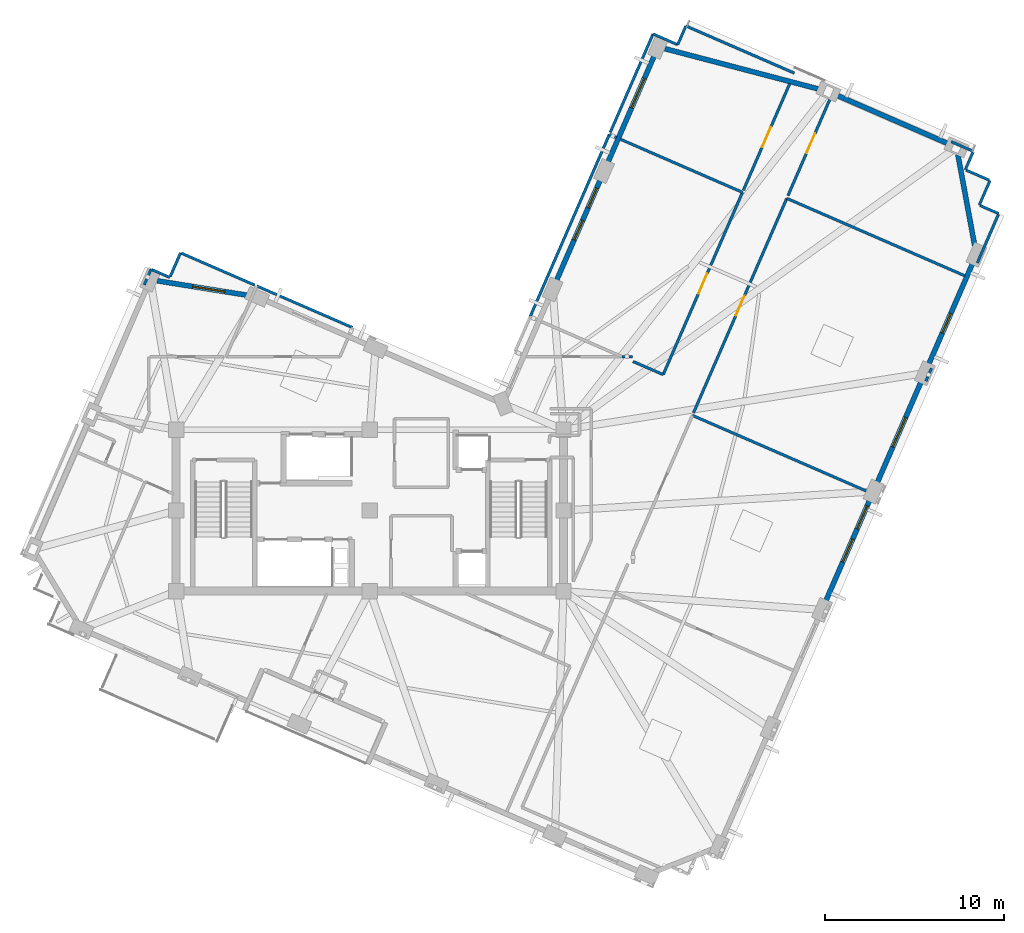
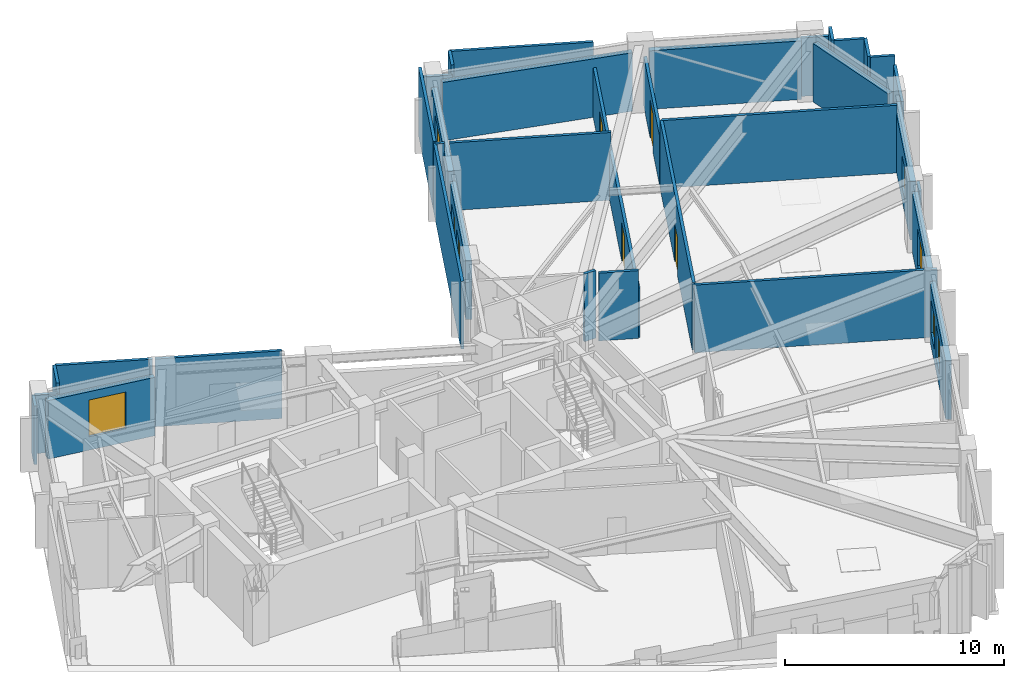
# One storey, part 7 of 12: 36 walls, 8 windows, 4 doors, 12 openings.
"""IFC4 building model written with IfcOpenShell, lengths in metres."""

from ifc_helpers import new_model, si_unit, direction, frame, frame_2d, origin, place, context, subcontext, project, spatial, rectangle, extrude, material, layer, layer_set, type_object, element, fill, save


model = new_model("IFC4")

# Units and contexts
model_context = context("Model", 3, precision=1e-05, world=origin(), true_north=direction((0.0, 1.0)))
body_context = subcontext(model_context, "Body", "Model", "MODEL_VIEW")
ifc_project = project(units=[si_unit("LENGTHUNIT", "METRE"), si_unit("AREAUNIT", "SQUARE_METRE"), si_unit("VOLUMEUNIT", "CUBIC_METRE"), si_unit("PLANEANGLEUNIT", "RADIAN"), si_unit("MASSUNIT", "GRAM", prefix="KILO")], contexts=[model_context])

# Site, building, storey
site_placement = place(None, origin())
site = spatial("IfcSite", under=ifc_project, at=site_placement, CompositionType="ELEMENT")
building_placement = place(site_placement, origin())
building = spatial("IfcBuilding", under=site, at=building_placement, Name="Gaonmaruhae Medical Tower", CompositionType="ELEMENT")
storey_placement = place(building_placement, frame((0.0, 0.0, 308.60009765625)))
storey = spatial("IfcBuildingStorey", under=building, at=storey_placement, Name="L74", CompositionType="ELEMENT", Elevation=308.60009765625)

# Wall, openings, windows
ifc_material_1 = material(Name="Precast concrete C45/55", Category="concrete")
ifc_layer_1 = layer(ifc_material_1, 0.280029296875)
ifc_layer_set_1 = layer_set([ifc_layer_1], Name="Precast concrete C45/55")
wall_type_1 = type_object("IfcWallType", Name="EW-280 Upper Precast Masonry-Frame Facade Wall", PredefinedType="SOLIDWALL", material=ifc_layer_set_1)
wall_1_placement = place(storey_placement, frame((52.7294921875, 12.99560546875, 0.0), z_axis=(0.0, 0.0, 1.0), x_axis=(-0.398744230651, -0.917062178112, 0.0)))
wall_1 = element("IfcWall", 1, at=wall_1_placement, inside=storey, type_object=wall_type_1, Name="L74 Precast Masonry-Frame Wall S03-S04", PredefinedType="SOLIDWALL", context=body_context, shape_type="SweptSolid", body=[
    extrude(rectangle(XDim=6.405029296875, YDim=0.280029296875, at=frame_2d((3.20263671875, 0.0))), origin(), (0.0, 0.0, 1.0), 3.264892578125),
])
opening_1_placement = place(wall_1_placement, frame((2.50244140625, 0.0, 0.75)))
opening_1 = element("IfcOpeningElement", 2, at=opening_1_placement, cuts=wall_1, Name="Opening WN-03", PredefinedType="OPENING", context=body_context, shape_type="SweptSolid", body=[
    extrude(rectangle(XDim=1.39990234375, YDim=1.85009765625, at=frame_2d((0.699951171875, 0.925048828125))), frame((0.0, 0.14990234375, 0.0), z_axis=(0.0, -1.0, 0.0), x_axis=(1.0, 0.0, 0.0)), (0.0, 0.0, 1.0), 0.300048828125),
])
opening_2_placement = place(wall_1_placement, frame((0.486328125, 0.0, 0.75)))
opening_2 = element("IfcOpeningElement", 3, at=opening_2_placement, cuts=wall_1, Name="Opening WN-03", PredefinedType="OPENING", context=body_context, shape_type="SweptSolid", body=[
    extrude(rectangle(XDim=1.39990234375, YDim=1.85009765625, at=frame_2d((0.699951171875, 0.925048828125))), frame((0.0, 0.14990234375, 0.0), z_axis=(0.0, -1.0, 0.0), x_axis=(1.0, 0.0, 0.0)), (0.0, 0.0, 1.0), 0.300048828125),
])
ifc_material_2 = material(Name="Anodised aluminium and Low-E double glazing", Category="aluminium")
window_type_1 = type_object("IfcWindowType", Name="WN-03 Isolation Ward Punched Window 1400x1850", PartitioningType="SINGLE_PANEL", PredefinedType="WINDOW", material=ifc_material_2)
window_1_placement = place(opening_1_placement, origin())
window_1 = element("IfcWindow", 4, at=window_1_placement, inside=storey, type_object=window_type_1, Name="L74 Modular Facade Window S03", OverallHeight=1.85009765625, OverallWidth=1.39990234375, PartitioningType="SINGLE_PANEL", PredefinedType="WINDOW", context=body_context, shape_type="SweptSolid", body=[
    extrude(rectangle(XDim=1.39990234375, YDim=1.85009765625, at=frame_2d((0.699951171875, 0.925048828125))), frame((0.0, 0.030029296875, 0.0), z_axis=(0.0, -1.0, 0.0), x_axis=(1.0, 0.0, 0.0)), (0.0, 0.0, 1.0), 0.06005859375),
])
fill(opening_1, window_1)
window_2_placement = place(opening_2_placement, origin())
window_2 = element("IfcWindow", 5, at=window_2_placement, inside=storey, type_object=window_type_1, Name="L74 Modular Facade Window S03B", OverallHeight=1.85009765625, OverallWidth=1.39990234375, PartitioningType="SINGLE_PANEL", PredefinedType="WINDOW", context=body_context, shape_type="SweptSolid", body=[
    extrude(rectangle(XDim=1.39990234375, YDim=1.85009765625, at=frame_2d((0.699951171875, 0.925048828125))), frame((0.0, 0.030029296875, 0.0), z_axis=(0.0, -1.0, 0.0), x_axis=(1.0, 0.0, 0.0)), (0.0, 0.0, 1.0), 0.06005859375),
])
fill(opening_2, window_2)

# Wall, opening, window
wall_2_placement = place(storey_placement, frame((55.6005859375, 19.598388671875, 0.0), z_axis=(0.0, 0.0, 1.0), x_axis=(-0.398744230651, -0.917062178112, 0.0)))
wall_2 = element("IfcWall", 6, at=wall_2_placement, inside=storey, type_object=wall_type_1, Name="L74 Precast Masonry-Frame Wall S04-S05", PredefinedType="SOLIDWALL", context=body_context, shape_type="SweptSolid", body=[
    extrude(rectangle(XDim=6.405029296875, YDim=0.280029296875, at=frame_2d((3.20263671875, 0.0))), origin(), (0.0, 0.0, 1.0), 3.264892578125),
])
opening_3_placement = place(wall_2_placement, frame((2.302490234375, 0.0, 0.75)))
opening_3 = element("IfcOpeningElement", 7, at=opening_3_placement, cuts=wall_2, Name="Opening WN-04", PredefinedType="OPENING", context=body_context, shape_type="SweptSolid", body=[
    extrude(rectangle(XDim=1.800048828125, YDim=2.050048828125, at=frame_2d((0.89990234375, 1.02490234375))), frame((0.0, 0.14990234375, 0.0), z_axis=(0.0, -1.0, 0.0), x_axis=(1.0, 0.0, 0.0)), (0.0, 0.0, 1.0), 0.300048828125),
])
window_type_2 = type_object("IfcWindowType", Name="WN-04 Clinic & Consult Punched Window 1800x2050", PartitioningType="SINGLE_PANEL", PredefinedType="WINDOW", material=ifc_material_2)
window_3_placement = place(opening_3_placement, origin())
window_3 = element("IfcWindow", 8, at=window_3_placement, inside=storey, type_object=window_type_2, Name="L74 Modular Facade Window S04", OverallHeight=2.050048828125, OverallWidth=1.800048828125, PartitioningType="SINGLE_PANEL", PredefinedType="WINDOW", context=body_context, shape_type="SweptSolid", body=[
    extrude(rectangle(XDim=1.800048828125, YDim=2.050048828125, at=frame_2d((0.89990234375, 1.02490234375))), frame((0.0, 0.030029296875, 0.0), z_axis=(0.0, -1.0, 0.0), x_axis=(1.0, 0.0, 0.0)), (0.0, 0.0, 1.0), 0.06005859375),
])
fill(opening_3, window_3)

wall_3_placement = place(storey_placement, frame((58.4716796875, 26.201171875, 0.0), z_axis=(0.0, 0.0, 1.0), x_axis=(-0.398776286617, -0.917048239316, 0.0)))
wall_3 = element("IfcWall", 9, at=wall_3_placement, inside=storey, type_object=wall_type_1, Name="L74 Precast Masonry-Frame Wall S05-S06", PredefinedType="SOLIDWALL", context=body_context, shape_type="SweptSolid", body=[
    extrude(rectangle(XDim=6.405029296875, YDim=0.280029296875, at=frame_2d((3.20263671875, 0.0))), origin(), (0.0, 0.0, 1.0), 3.264892578125),
])
opening_4_placement = place(wall_3_placement, frame((3.17626953125, 0.0, 0.75)))
opening_4 = element("IfcOpeningElement", 10, at=opening_4_placement, cuts=wall_3, Name="Opening WN-05", PredefinedType="OPENING", context=body_context, shape_type="SweptSolid", body=[
    extrude(rectangle(XDim=1.199951171875, YDim=1.75, at=frame_2d((0.60009765625, 0.875))), frame((0.0, 0.14990234375, 0.0), z_axis=(0.0, -1.0, 0.0), x_axis=(1.0, 0.0, 0.0)), (0.0, 0.0, 1.0), 0.300048828125),
])
window_type_3 = type_object("IfcWindowType", Name="WN-05 Support & Staff Punched Window 1200x1750", PartitioningType="SINGLE_PANEL", PredefinedType="WINDOW", material=ifc_material_2)
window_4_placement = place(opening_4_placement, origin())
window_4 = element("IfcWindow", 11, at=window_4_placement, inside=storey, type_object=window_type_3, Name="L74 Modular Facade Window S05", OverallHeight=1.75, OverallWidth=1.199951171875, PartitioningType="SINGLE_PANEL", PredefinedType="WINDOW", context=body_context, shape_type="SweptSolid", body=[
    extrude(rectangle(XDim=1.199951171875, YDim=1.75, at=frame_2d((0.60009765625, 0.875))), frame((0.0, 0.030029296875, 0.0), z_axis=(0.0, -1.0, 0.0), x_axis=(1.0, 0.0, 0.0)), (0.0, 0.0, 1.0), 0.06005859375),
])
fill(opening_4, window_4)

# Walls
wall_4_placement = place(storey_placement, frame((57.597900390625, 32.16162109375, 0.0), z_axis=(0.0, 0.0, 1.0), x_axis=(0.181421889976, -0.983405357845, 0.0)))
element("IfcWall", 12, at=wall_4_placement, inside=storey, type_object=wall_type_1, Name="L74 Precast Masonry-Frame Wall S06-E01", PredefinedType="SOLIDWALL", context=body_context, shape_type="SweptSolid", body=[
    extrude(rectangle(XDim=5.292724609375, YDim=0.280029296875, at=frame_2d((2.646484375, 0.0))), origin(), (0.0, 0.0, 1.0), 3.264892578125),
])
wall_5_placement = place(storey_placement, frame((50.7373046875, 35.50439453125, 0.0), z_axis=(0.0, 0.0, 1.0), x_axis=(0.917057311373, -0.398755423359, 0.0)))
element("IfcWall", 13, at=wall_5_placement, inside=storey, type_object=wall_type_1, Name="L74 Precast Masonry-Frame Wall E01-E02", PredefinedType="SOLIDWALL", context=body_context, shape_type="SweptSolid", body=[
    extrude(rectangle(XDim=7.0048828125, YDim=0.280029296875, at=frame_2d((3.50244140625, 0.0))), origin(), (0.0, 0.0, 1.0), 3.264892578125),
])
wall_6_placement = place(storey_placement, frame((41.263671875, 38.05419921875, 0.0), z_axis=(0.0, 0.0, 1.0), x_axis=(0.967228971308, -0.253905724755, 0.0)))
element("IfcWall", 14, at=wall_6_placement, inside=storey, type_object=wall_type_1, Name="L74 Precast Masonry-Frame Wall E02-E03", PredefinedType="SOLIDWALL", context=body_context, shape_type="SweptSolid", body=[
    extrude(rectangle(XDim=9.020263671875, YDim=0.280029296875, at=frame_2d((4.51025390625, 0.0))), origin(), (0.0, 0.0, 1.0), 3.264892578125),
])

# Wall, opening, window
wall_7_placement = place(storey_placement, frame((38.027099609375, 31.595947265625, 0.0), z_axis=(0.0, 0.0, 1.0), x_axis=(0.398764437463, 0.917053391802, 0.0)))
wall_7 = element("IfcWall", 15, at=wall_7_placement, inside=storey, type_object=wall_type_1, Name="L74 Precast Masonry-Frame Wall E03-EN01", PredefinedType="SOLIDWALL", context=body_context, shape_type="SweptSolid", body=[
    extrude(rectangle(XDim=6.7548828125, YDim=0.280029296875, at=frame_2d((3.37744140625, 0.0))), origin(), (0.0, 0.0, 1.0), 3.264892578125),
])
opening_5_placement = place(wall_7_placement, frame((3.43798828125, 0.0, 0.75)))
opening_5 = element("IfcOpeningElement", 16, at=opening_5_placement, cuts=wall_7, Name="Opening WN-04", PredefinedType="OPENING", context=body_context, shape_type="SweptSolid", body=[
    extrude(rectangle(XDim=1.800048828125, YDim=2.050048828125, at=frame_2d((0.89990234375, 1.02490234375))), frame((0.0, 0.14990234375, 0.0), z_axis=(0.0, -1.0, 0.0), x_axis=(1.0, 0.0, 0.0)), (0.0, 0.0, 1.0), 0.300048828125),
])
window_5_placement = place(opening_5_placement, origin())
window_5 = element("IfcWindow", 17, at=window_5_placement, inside=storey, type_object=window_type_2, Name="L74 Modular Facade Window E03", OverallHeight=2.050048828125, OverallWidth=1.800048828125, PartitioningType="SINGLE_PANEL", PredefinedType="WINDOW", context=body_context, shape_type="SweptSolid", body=[
    extrude(rectangle(XDim=1.800048828125, YDim=2.050048828125, at=frame_2d((0.89990234375, 1.02490234375))), frame((0.0, 0.030029296875, 0.0), z_axis=(0.0, -1.0, 0.0), x_axis=(1.0, 0.0, 0.0)), (0.0, 0.0, 1.0), 0.06005859375),
])
fill(opening_5, window_5)

# Wall, openings, windows
wall_8_placement = place(storey_placement, frame((35.156005859375, 24.9931640625, 0.0), z_axis=(0.0, 0.0, 1.0), x_axis=(0.398758169539, 0.917056117272, 0.0)))
wall_8 = element("IfcWall", 18, at=wall_8_placement, inside=storey, type_object=wall_type_1, Name="L74 Precast Masonry-Frame Wall EN01-EN02", PredefinedType="SOLIDWALL", context=body_context, shape_type="SweptSolid", body=[
    extrude(rectangle(XDim=6.40478515625, YDim=0.280029296875, at=frame_2d((3.202392578125, 0.0))), origin(), (0.0, 0.0, 1.0), 3.264892578125),
])
opening_6_placement = place(wall_8_placement, frame((2.602294921875, 0.0, 0.75)))
opening_6 = element("IfcOpeningElement", 19, at=opening_6_placement, cuts=wall_8, Name="Opening WN-05", PredefinedType="OPENING", context=body_context, shape_type="SweptSolid", body=[
    extrude(rectangle(XDim=1.199951171875, YDim=1.75, at=frame_2d((0.60009765625, 0.875))), frame((0.0, 0.14990234375, 0.0), z_axis=(0.0, -1.0, 0.0), x_axis=(1.0, 0.0, 0.0)), (0.0, 0.0, 1.0), 0.300048828125),
])
opening_7_placement = place(wall_8_placement, frame((4.568603515625, 0.0, 0.75)))
opening_7 = element("IfcOpeningElement", 20, at=opening_7_placement, cuts=wall_8, Name="Opening WN-05", PredefinedType="OPENING", context=body_context, shape_type="SweptSolid", body=[
    extrude(rectangle(XDim=1.199951171875, YDim=1.75, at=frame_2d((0.60009765625, 0.875))), frame((0.0, 0.14990234375, 0.0), z_axis=(0.0, -1.0, 0.0), x_axis=(1.0, 0.0, 0.0)), (0.0, 0.0, 1.0), 0.300048828125),
])
window_6_placement = place(opening_6_placement, origin())
window_6 = element("IfcWindow", 21, at=window_6_placement, inside=storey, type_object=window_type_3, Name="L74 Modular Facade Window EN01", OverallHeight=1.75, OverallWidth=1.199951171875, PartitioningType="SINGLE_PANEL", PredefinedType="WINDOW", context=body_context, shape_type="SweptSolid", body=[
    extrude(rectangle(XDim=1.199951171875, YDim=1.75, at=frame_2d((0.60009765625, 0.875))), frame((0.0, 0.030029296875, 0.0), z_axis=(0.0, -1.0, 0.0), x_axis=(1.0, 0.0, 0.0)), (0.0, 0.0, 1.0), 0.06005859375),
])
fill(opening_6, window_6)
window_7_placement = place(opening_7_placement, origin())
window_7 = element("IfcWindow", 22, at=window_7_placement, inside=storey, type_object=window_type_3, Name="L74 Modular Facade Window EN01B", OverallHeight=1.75, OverallWidth=1.199951171875, PartitioningType="SINGLE_PANEL", PredefinedType="WINDOW", context=body_context, shape_type="SweptSolid", body=[
    extrude(rectangle(XDim=1.199951171875, YDim=1.75, at=frame_2d((0.60009765625, 0.875))), frame((0.0, 0.030029296875, 0.0), z_axis=(0.0, -1.0, 0.0), x_axis=(1.0, 0.0, 0.0)), (0.0, 0.0, 1.0), 0.06005859375),
])
fill(opening_7, window_7)

# Wall, opening, window
wall_9_placement = place(storey_placement, frame((12.94580078125, 25.1103515625, 0.0), z_axis=(0.0, 0.0, 1.0), x_axis=(0.987363821305, -0.158469821666, 0.0)))
wall_9 = element("IfcWall", 23, at=wall_9_placement, inside=storey, type_object=wall_type_1, Name="L74 Precast Masonry-Frame Wall NE02-N01", PredefinedType="SOLIDWALL", context=body_context, shape_type="SweptSolid", body=[
    extrude(rectangle(XDim=5.244140625, YDim=0.280029296875, at=frame_2d((2.6220703125, 0.0))), origin(), (0.0, 0.0, 1.0), 3.264892578125),
])
opening_8_placement = place(wall_9_placement, frame((2.013671875, 0.0, 0.75)))
opening_8 = element("IfcOpeningElement", 24, at=opening_8_placement, cuts=wall_9, Name="Opening WN-04", PredefinedType="OPENING", context=body_context, shape_type="SweptSolid", body=[
    extrude(rectangle(XDim=1.800048828125, YDim=2.050048828125, at=frame_2d((0.89990234375, 1.02490234375))), frame((0.0, 0.14990234375, 0.0), z_axis=(0.0, -1.0, 0.0), x_axis=(1.0, 0.0, 0.0)), (0.0, 0.0, 1.0), 0.300048828125),
])
window_8_placement = place(opening_8_placement, origin())
window_8 = element("IfcWindow", 25, at=window_8_placement, inside=storey, type_object=window_type_2, Name="L74 Modular Facade Window NE02", OverallHeight=2.050048828125, OverallWidth=1.800048828125, PartitioningType="SINGLE_PANEL", PredefinedType="WINDOW", context=body_context, shape_type="SweptSolid", body=[
    extrude(rectangle(XDim=1.800048828125, YDim=2.050048828125, at=frame_2d((0.89990234375, 1.02490234375))), frame((0.0, 0.030029296875, 0.0), z_axis=(0.0, -1.0, 0.0), x_axis=(1.0, 0.0, 0.0)), (0.0, 0.0, 1.0), 0.06005859375),
])
fill(opening_8, window_8)

# Wall
ifc_material_3 = material(Name="Gypsum board partition", Category="gypsum")
ifc_layer_2 = layer(ifc_material_3, 0.14990234375)
ifc_layer_set_2 = layer_set([ifc_layer_2], Name="Gypsum board partition")
wall_type_2 = type_object("IfcWallType", Name="PW-150 Rated Clinical Corridor Partition", PredefinedType="PARTITIONING", material=ifc_layer_set_2)
wall_10_placement = place(storey_placement, frame((42.7919921875, 17.60302734375, 0.0), z_axis=(0.0, 0.0, 1.0), x_axis=(0.917063112739, -0.398742081117, 0.0)))
element("IfcWall", 26, at=wall_10_placement, inside=storey, type_object=wall_type_2, Name="L74 Interior Partition L74-SUP02-18", PredefinedType="PARTITIONING", context=body_context, shape_type="SweptSolid", body=[
    extrude(rectangle(XDim=11.18017578125, YDim=0.14990234375, at=frame_2d((5.590087890625, 0.0))), origin(), (0.0, 0.0, 1.0), 3.77978515625),
])

# Wall, opening, door
wall_11_placement = place(storey_placement, frame((42.85595703125, 17.7490234375, 0.0), z_axis=(0.0, 0.0, 1.0), x_axis=(0.398751440491, 0.917059043195, 0.0)))
wall_11 = element("IfcWall", 27, at=wall_11_placement, inside=storey, type_object=wall_type_2, Name="L74 Interior Partition L74-SUP03-21", PredefinedType="PARTITIONING", context=body_context, shape_type="SweptSolid", body=[
    extrude(rectangle(XDim=13.04052734375, YDim=0.14990234375, at=frame_2d((6.520263671875, 0.0))), origin(), (0.0, 0.0, 1.0), 3.77978515625),
])
opening_9_placement = place(wall_11_placement, frame((5.92041015625, 0.0, 0.0)))
opening_9 = element("IfcOpeningElement", 28, at=opening_9_placement, cuts=wall_11, Name="Opening CD-02", PredefinedType="OPENING", context=body_context, shape_type="SweptSolid", body=[
    extrude(rectangle(XDim=1.199951171875, YDim=2.14990234375, at=frame_2d((0.60009765625, 1.074951171875))), frame((0.0, 0.0849609375, 0.0), z_axis=(0.0, -1.0, 0.0), x_axis=(1.0, 0.0, 0.0)), (0.0, 0.0, 1.0), 0.169921875),
])
ifc_material_4 = material(Name="Antimicrobial laminate timber fire door", Category="wood")
door_type = type_object("IfcDoorType", Name="CD-02 Clinical Treatment & Procedure Door 1200x2150", OperationType="NOTDEFINED", PredefinedType="DOOR", material=ifc_material_4)
door_1_placement = place(opening_9_placement, origin())
door_1 = element("IfcDoor", 29, at=door_1_placement, inside=storey, type_object=door_type, Name="L74 Clinical Biomedical Charting Office Door", OperationType="SINGLE_SWING_LEFT", OverallHeight=2.14990234375, OverallWidth=1.199951171875, PredefinedType="DOOR", context=body_context, shape_type="SweptSolid", body=[
    extrude(rectangle(XDim=1.199951171875, YDim=2.14990234375, at=frame_2d((0.60009765625, 1.074951171875))), frame((0.0, 0.02490234375, 0.0), z_axis=(0.0, -1.0, 0.0), x_axis=(1.0, 0.0, 0.0)), (0.0, 0.0, 1.0), 0.050048828125),
])
fill(opening_9, door_1)

# Walls
wall_12_placement = place(storey_placement, frame((48.055908203125, 29.7080078125, 0.0), z_axis=(0.0, 0.0, 1.0), x_axis=(0.917068265028, -0.398730231207, 0.0)))
element("IfcWall", 30, at=wall_12_placement, inside=storey, type_object=wall_type_2, Name="L74 Interior Partition L74-SUP03-22", PredefinedType="PARTITIONING", context=body_context, shape_type="SweptSolid", body=[
    extrude(rectangle(XDim=10.83447265625, YDim=0.14990234375, at=frame_2d((5.417236328125, 0.0))), origin(), (0.0, 0.0, 1.0), 3.77978515625),
])
wall_13_placement = place(storey_placement, frame((56.12890625, 20.236083984375, 0.0), z_axis=(0.0, 0.0, 1.0), x_axis=(-0.398658726612, -0.91709935105, 0.0)))
element("IfcWall", 31, at=wall_13_placement, inside=storey, type_object=wall_type_2, Name="L74 Interior Partition L74-SUP03-23", PredefinedType="PARTITIONING", context=body_context, shape_type="SweptSolid", body=[
    extrude(rectangle(XDim=0.794921875, YDim=0.14990234375, at=frame_2d((0.3974609375, 0.0))), origin(), (0.0, 0.0, 1.0), 3.264892578125),
])
wall_14_placement = place(storey_placement, frame((59.39404296875, 30.7041015625, 0.0), z_axis=(0.0, 0.0, 1.0), x_axis=(-0.398904712107, -0.916992383097, 0.0)))
element("IfcWall", 32, at=wall_14_placement, inside=storey, type_object=wall_type_2, Name="L74 Interior Partition L74-SUP04-24", PredefinedType="PARTITIONING", context=body_context, shape_type="SweptSolid", body=[
    extrude(rectangle(XDim=1.49951171875, YDim=0.14990234375, at=frame_2d((0.749755859375, 0.0))), origin(), (0.0, 0.0, 1.0), 3.77978515625),
])
wall_15_placement = place(storey_placement, frame((58.842041015625, 29.30908203125, 0.0), z_axis=(0.0, 0.0, 1.0), x_axis=(0.916815661373, -0.399310709926, 0.0)))
element("IfcWall", 33, at=wall_15_placement, inside=storey, type_object=wall_type_2, Name="L74 Interior Partition L74-SUP04-25", PredefinedType="PARTITIONING", context=body_context, shape_type="SweptSolid", body=[
    extrude(rectangle(XDim=1.1298828125, YDim=0.14990234375, at=frame_2d((0.56494140625, 0.0))), origin(), (0.0, 0.0, 1.0), 3.77978515625),
])
wall_16_placement = place(storey_placement, frame((59.85791015625, 28.81201171875, 0.0), z_axis=(0.0, 0.0, 1.0), x_axis=(-0.399092651862, -0.916910603728, 0.0)))
element("IfcWall", 34, at=wall_16_placement, inside=storey, type_object=wall_type_2, Name="L74 Interior Partition L74-SUP04-26", PredefinedType="PARTITIONING", context=body_context, shape_type="SweptSolid", body=[
    extrude(rectangle(XDim=2.94677734375, YDim=0.14990234375, at=frame_2d((1.473388671875, 0.0))), origin(), (0.0, 0.0, 1.0), 3.264892578125),
])

# Wall, opening, door
wall_17_placement = place(storey_placement, frame((48.1201171875, 29.85400390625, 0.0), z_axis=(0.0, 0.0, 1.0), x_axis=(0.398700984872, 0.917080980428, 0.0)))
wall_17 = element("IfcWall", 35, at=wall_17_placement, inside=storey, type_object=wall_type_2, Name="L74 Interior Partition L74-SUP04-27", PredefinedType="PARTITIONING", context=body_context, shape_type="SweptSolid", body=[
    extrude(rectangle(XDim=6.395263671875, YDim=0.14990234375, at=frame_2d((3.19775390625, 0.0))), origin(), (0.0, 0.0, 1.0), 2.764892578125),
])
opening_10_placement = place(wall_17_placement, frame((2.59765625, 0.0, 0.0)))
opening_10 = element("IfcOpeningElement", 36, at=opening_10_placement, cuts=wall_17, Name="Opening CD-02", PredefinedType="OPENING", context=body_context, shape_type="SweptSolid", body=[
    extrude(rectangle(XDim=1.199951171875, YDim=2.14990234375, at=frame_2d((0.60009765625, 1.074951171875))), frame((0.0, 0.0849609375, 0.0), z_axis=(0.0, -1.0, 0.0), x_axis=(1.0, 0.0, 0.0)), (0.0, 0.0, 1.0), 0.169921875),
])
door_2_placement = place(opening_10_placement, origin())
door_2 = element("IfcDoor", 37, at=door_2_placement, inside=storey, type_object=door_type, Name="L74 Clinical Biomedical Charting Office Door", OperationType="SINGLE_SWING_LEFT", OverallHeight=2.14990234375, OverallWidth=1.199951171875, PredefinedType="DOOR", context=body_context, shape_type="SweptSolid", body=[
    extrude(rectangle(XDim=1.199951171875, YDim=2.14990234375, at=frame_2d((0.60009765625, 1.074951171875))), frame((0.0, 0.02490234375, 0.0), z_axis=(0.0, -1.0, 0.0), x_axis=(1.0, 0.0, 0.0)), (0.0, 0.0, 1.0), 0.050048828125),
])
fill(opening_10, door_2)

# Walls
wall_18_placement = place(storey_placement, frame((57.22900390625, 32.866943359375, 0.0), z_axis=(0.0, 0.0, 1.0), x_axis=(0.917222637379, -0.398374991032, 0.0)))
element("IfcWall", 38, at=wall_18_placement, inside=storey, type_object=wall_type_2, Name="L74 Interior Partition L74-SUP04-28", PredefinedType="PARTITIONING", context=body_context, shape_type="SweptSolid", body=[
    extrude(rectangle(XDim=1.34765625, YDim=0.14990234375, at=frame_2d((0.673828125, 0.0))), origin(), (0.0, 0.0, 1.0), 3.264892578125),
])
wall_19_placement = place(storey_placement, frame((58.445068359375, 32.283935546875, 0.0), z_axis=(0.0, 0.0, 1.0), x_axis=(-0.39911825621, -0.916899458807, 0.0)))
element("IfcWall", 39, at=wall_19_placement, inside=storey, type_object=wall_type_2, Name="L74 Interior Partition L74-SUP04-29", PredefinedType="PARTITIONING", context=body_context, shape_type="SweptSolid", body=[
    extrude(rectangle(XDim=1.06982421875, YDim=0.14990234375, at=frame_2d((0.534912109375, 0.0))), origin(), (0.0, 0.0, 1.0), 3.77978515625),
])
wall_20_placement = place(storey_placement, frame((58.06396484375, 31.282958984375, 0.0), z_axis=(0.0, 0.0, 1.0), x_axis=(0.91691198731, -0.399089473085, 0.0)))
element("IfcWall", 40, at=wall_20_placement, inside=storey, type_object=wall_type_2, Name="L74 Interior Partition L74-SUP04-30", PredefinedType="PARTITIONING", context=body_context, shape_type="SweptSolid", body=[
    extrude(rectangle(XDim=1.400390625, YDim=0.14990234375, at=frame_2d((0.7001953125, 0.0))), origin(), (0.0, 0.0, 1.0), 3.77978515625),
])
wall_21_placement = place(storey_placement, frame((39.449951171875, 20.8798828125, 0.0), z_axis=(0.0, 0.0, 1.0), x_axis=(-1.0, 0.0, 0.0)))
element("IfcWall", 41, at=wall_21_placement, inside=storey, type_object=wall_type_2, Name="L74 Interior Partition L74-IE02-61", PredefinedType="PARTITIONING", context=body_context, shape_type="SweptSolid", body=[
    extrude(rectangle(XDim=0.58984375, YDim=0.14990234375, at=frame_2d((0.294921875, 0.0))), origin(), (0.0, 0.0, 1.0), 3.77978515625),
])
wall_22_placement = place(storey_placement, frame((33.736083984375, 23.10791015625, 0.0), z_axis=(0.0, 0.0, 1.0), x_axis=(0.398761541239, 0.917054651168, 0.0)))
element("IfcWall", 42, at=wall_22_placement, inside=storey, type_object=wall_type_2, Name="L74 Interior Partition L74-IE02-64", PredefinedType="PARTITIONING", context=body_context, shape_type="SweptSolid", body=[
    extrude(rectangle(XDim=11.086669921875, YDim=0.14990234375, at=frame_2d((5.54345703125, 0.0))), origin(), (0.0, 0.0, 1.0), 3.77978515625),
])
wall_23_placement = place(storey_placement, frame((38.156982421875, 33.27490234375, 0.0), z_axis=(0.0, 0.0, 1.0), x_axis=(0.916748651636, -0.399464528742, 0.0)))
element("IfcWall", 43, at=wall_23_placement, inside=storey, type_object=wall_type_2, Name="L74 Interior Partition L74-IE02-65", PredefinedType="PARTITIONING", context=body_context, shape_type="SweptSolid", body=[
    extrude(rectangle(XDim=0.43505859375, YDim=0.14990234375, at=frame_2d((0.217529296875, 0.0))), origin(), (0.0, 0.0, 1.0), 3.77978515625),
])
wall_24_placement = place(storey_placement, frame((38.76708984375, 33.010009765625, 0.0), z_axis=(0.0, 0.0, 1.0), x_axis=(0.917030896956, -0.398816165707, 0.0)))
element("IfcWall", 44, at=wall_24_placement, inside=storey, type_object=wall_type_2, Name="L74 Interior Partition L74-IE02-66", PredefinedType="PARTITIONING", context=body_context, shape_type="SweptSolid", body=[
    extrude(rectangle(XDim=7.434814453125, YDim=0.14990234375, at=frame_2d((3.71728515625, 0.0))), origin(), (0.0, 0.0, 1.0), 3.77978515625),
])

# Wall, opening, door
wall_25_placement = place(storey_placement, frame((45.5849609375, 30.044921875, 0.0), z_axis=(0.0, 0.0, 1.0), x_axis=(-0.398687458661, -0.91708686083, 0.0)))
wall_25 = element("IfcWall", 45, at=wall_25_placement, inside=storey, type_object=wall_type_2, Name="L74 Interior Partition L74-IE02-67", PredefinedType="PARTITIONING", context=body_context, shape_type="SweptSolid", body=[
    extrude(rectangle(XDim=11.086181640625, YDim=0.14990234375, at=frame_2d((5.54296875, 0.0))), origin(), (0.0, 0.0, 1.0), 2.764892578125),
])
opening_11_placement = place(wall_25_placement, frame((4.943115234375, 0.0, 0.0)))
opening_11 = element("IfcOpeningElement", 46, at=opening_11_placement, cuts=wall_25, Name="Opening CD-02", PredefinedType="OPENING", context=body_context, shape_type="SweptSolid", body=[
    extrude(rectangle(XDim=1.199951171875, YDim=2.14990234375, at=frame_2d((0.60009765625, 1.074951171875))), frame((0.0, 0.0849609375, 0.0), z_axis=(0.0, -1.0, 0.0), x_axis=(1.0, 0.0, 0.0)), (0.0, 0.0, 1.0), 0.169921875),
])
door_3_placement = place(opening_11_placement, origin())
door_3 = element("IfcDoor", 47, at=door_3_placement, inside=storey, type_object=door_type, Name="L74 Acute Treatment Examination Room Door", OperationType="SINGLE_SWING_RIGHT", OverallHeight=2.14990234375, OverallWidth=1.199951171875, PredefinedType="DOOR", context=body_context, shape_type="SweptSolid", body=[
    extrude(rectangle(XDim=1.199951171875, YDim=2.14990234375, at=frame_2d((0.60009765625, 1.074951171875))), frame((0.0, 0.02490234375, 0.0), z_axis=(0.0, -1.0, 0.0), x_axis=(1.0, 0.0, 0.0)), (0.0, 0.0, 1.0), 0.050048828125),
])
fill(opening_11, door_3)

# Walls
wall_26_placement = place(storey_placement, frame((41.1650390625, 19.8779296875, 0.0), z_axis=(0.0, 0.0, 1.0), x_axis=(-0.917160874805, 0.398517163654, 0.0)))
element("IfcWall", 48, at=wall_26_placement, inside=storey, type_object=wall_type_2, Name="L74 Interior Partition L74-IE02-68", PredefinedType="PARTITIONING", context=body_context, shape_type="SweptSolid", body=[
    extrude(rectangle(XDim=1.837158203125, YDim=0.14990234375, at=frame_2d((0.91845703125, 0.0))), origin(), (0.0, 0.0, 1.0), 3.77978515625),
])
wall_27_placement = place(storey_placement, frame((41.969970703125, 38.281005859375, 0.0), z_axis=(0.0, 0.0, 1.0), x_axis=(0.398569395059, 0.917138177878, 0.0)))
element("IfcWall", 49, at=wall_27_placement, inside=storey, type_object=wall_type_2, Name="L74 Interior Partition L74-IE03-69", PredefinedType="PARTITIONING", context=body_context, shape_type="SweptSolid", body=[
    extrude(rectangle(XDim=1.139404296875, YDim=0.14990234375, at=frame_2d((0.56982421875, 0.0))), origin(), (0.0, 0.0, 1.0), 3.77978515625),
])
wall_28_placement = place(storey_placement, frame((42.424072265625, 39.325927734375, 0.0), z_axis=(0.0, 0.0, 1.0), x_axis=(0.917064175576, -0.3987396367, 0.0)))
element("IfcWall", 50, at=wall_28_placement, inside=storey, type_object=wall_type_2, Name="L74 Interior Partition L74-IE03-70", PredefinedType="PARTITIONING", context=body_context, shape_type="SweptSolid", body=[
    extrude(rectangle(XDim=6.600341796875, YDim=0.14990234375, at=frame_2d((3.30029296875, 0.0))), origin(), (0.0, 0.0, 1.0), 3.77978515625),
])

# Wall, opening, door
wall_29_placement = place(storey_placement, frame((48.221923828125, 36.10791015625, 0.0), z_axis=(0.0, 0.0, 1.0), x_axis=(-0.398811373886, -0.9170329809, 0.0)))
wall_29 = element("IfcWall", 51, at=wall_29_placement, inside=storey, type_object=wall_type_2, Name="L74 Interior Partition L74-IE03-71", PredefinedType="PARTITIONING", context=body_context, shape_type="SweptSolid", body=[
    extrude(rectangle(XDim=6.491455078125, YDim=0.14990234375, at=frame_2d((3.24560546875, 0.0))), origin(), (0.0, 0.0, 1.0), 2.764892578125),
])
opening_12_placement = place(wall_29_placement, frame((2.645751953125, 0.0, 0.0)))
opening_12 = element("IfcOpeningElement", 52, at=opening_12_placement, cuts=wall_29, Name="Opening CD-02", PredefinedType="OPENING", context=body_context, shape_type="SweptSolid", body=[
    extrude(rectangle(XDim=1.199951171875, YDim=2.14990234375, at=frame_2d((0.60009765625, 1.074951171875))), frame((0.0, 0.0849609375, 0.0), z_axis=(0.0, -1.0, 0.0), x_axis=(1.0, 0.0, 0.0)), (0.0, 0.0, 1.0), 0.169921875),
])
door_4_placement = place(opening_12_placement, origin())
door_4 = element("IfcDoor", 53, at=door_4_placement, inside=storey, type_object=door_type, Name="L74 Clean Medication Preparation Room Door", OperationType="SINGLE_SWING_RIGHT", OverallHeight=2.14990234375, OverallWidth=1.199951171875, PredefinedType="DOOR", context=body_context, shape_type="SweptSolid", body=[
    extrude(rectangle(XDim=1.199951171875, YDim=2.14990234375, at=frame_2d((0.60009765625, 1.074951171875))), frame((0.0, 0.02490234375, 0.0), z_axis=(0.0, -1.0, 0.0), x_axis=(1.0, 0.0, 0.0)), (0.0, 0.0, 1.0), 0.050048828125),
])
fill(opening_12, door_4)

# Walls
wall_30_placement = place(storey_placement, frame((38.205078125, 33.385009765625, 0.0), z_axis=(0.0, 0.0, 1.0), x_axis=(0.398763364975, 0.917053858153, 0.0)))
element("IfcWall", 54, at=wall_30_placement, inside=storey, type_object=wall_type_2, Name="L74 Interior Partition L74-IE03-72", PredefinedType="PARTITIONING", context=body_context, shape_type="SweptSolid", body=[
    extrude(rectangle(XDim=5.99072265625, YDim=0.14990234375, at=frame_2d((2.995361328125, 0.0))), origin(), (0.0, 0.0, 1.0), 3.77978515625),
])
wall_31_placement = place(storey_placement, frame((40.593994140625, 38.87890625, 0.0), z_axis=(0.0, 0.0, 1.0), x_axis=(0.91715541112, -0.398529737728, 0.0)))
element("IfcWall", 55, at=wall_31_placement, inside=storey, type_object=wall_type_2, Name="L74 Interior Partition L74-IE03-73", PredefinedType="PARTITIONING", context=body_context, shape_type="SweptSolid", body=[
    extrude(rectangle(XDim=1.500244140625, YDim=0.14990234375, at=frame_2d((0.75, 0.0))), origin(), (0.0, 0.0, 1.0), 3.264892578125),
])
wall_32_placement = place(storey_placement, frame((18.491943359375, 24.825927734375, 0.0), z_axis=(0.0, 0.0, 1.0), x_axis=(0.917125302545, -0.398599020862, 0.0)))
element("IfcWall", 56, at=wall_32_placement, inside=storey, type_object=wall_type_2, Name="L74 Interior Partition L74-IN02-74", PredefinedType="PARTITIONING", context=body_context, shape_type="SweptSolid", body=[
    extrude(rectangle(XDim=5.830322265625, YDim=0.14990234375, at=frame_2d((2.9150390625, 0.0))), origin(), (0.0, 0.0, 1.0), 3.77978515625),
])
wall_33_placement = place(storey_placement, frame((12.219970703125, 24.885009765625, 0.0), z_axis=(0.0, 0.0, 1.0), x_axis=(0.399235297463, 0.916848502894, 0.0)))
element("IfcWall", 57, at=wall_33_placement, inside=storey, type_object=wall_type_2, Name="L74 Interior Partition L74-IN03-82", PredefinedType="PARTITIONING", context=body_context, shape_type="SweptSolid", body=[
    extrude(rectangle(XDim=0.946533203125, YDim=0.14990234375, at=frame_2d((0.47314453125, 0.0))), origin(), (0.0, 0.0, 1.0), 3.264892578125),
])
wall_34_placement = place(storey_placement, frame((12.64404296875, 25.73291015625, 0.0), z_axis=(0.0, 0.0, 1.0), x_axis=(0.9173866736, -0.397997099362, 0.0)))
element("IfcWall", 58, at=wall_34_placement, inside=storey, type_object=wall_type_2, Name="L74 Interior Partition L74-IN03-83", PredefinedType="PARTITIONING", context=body_context, shape_type="SweptSolid", body=[
    extrude(rectangle(XDim=1.090087890625, YDim=0.14990234375, at=frame_2d((0.544921875, 0.0))), origin(), (0.0, 0.0, 1.0), 3.264892578125),
])
wall_35_placement = place(storey_placement, frame((13.6640625, 25.344970703125, 0.0), z_axis=(0.0, 0.0, 1.0), x_axis=(0.398732271116, 0.917067378097, 0.0)))
element("IfcWall", 59, at=wall_35_placement, inside=storey, type_object=wall_type_2, Name="L74 Interior Partition L74-IN03-84", PredefinedType="PARTITIONING", context=body_context, shape_type="SweptSolid", body=[
    extrude(rectangle(XDim=1.44921875, YDim=0.14990234375, at=frame_2d((0.724609375, 0.0))), origin(), (0.0, 0.0, 1.0), 3.77978515625),
])
wall_36_placement = place(storey_placement, frame((14.2880859375, 26.654052734375, 0.0), z_axis=(0.0, 0.0, 1.0), x_axis=(0.91706744789, -0.398732110595, 0.0)))
element("IfcWall", 60, at=wall_36_placement, inside=storey, type_object=wall_type_2, Name="L74 Interior Partition L74-IN03-85", PredefinedType="PARTITIONING", context=body_context, shape_type="SweptSolid", body=[
    extrude(rectangle(XDim=4.464111328125, YDim=0.14990234375, at=frame_2d((2.23193359375, 0.0))), origin(), (0.0, 0.0, 1.0), 3.77978515625),
])

save(model, "model.ifc")
